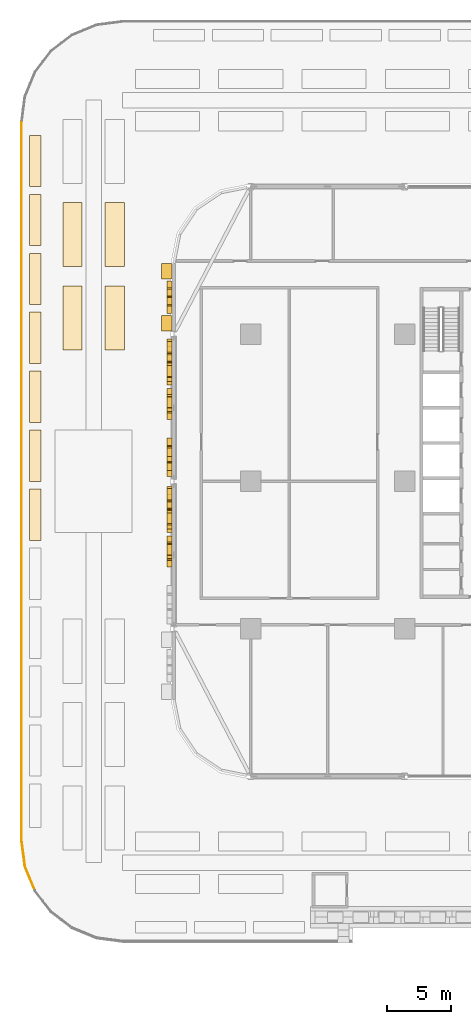
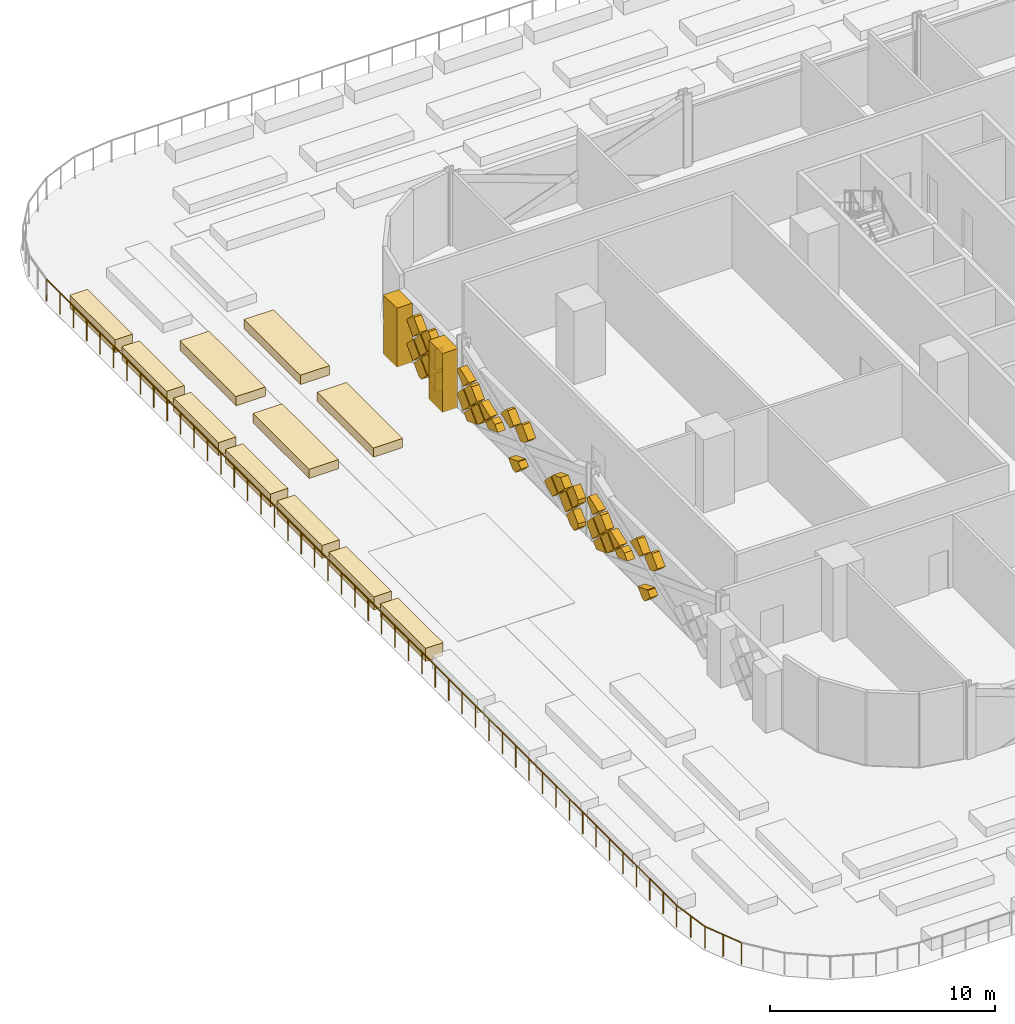
# One storey, part 30 of 39: 46 coverings, 1 railing.
"""IFC4 building model written with IfcOpenShell, lengths in metres."""

from ifc_helpers import new_model, si_unit, direction, frame, origin, origin_2d, place, context, subcontext, project, spatial, polyline, rectangle, circle, outline, extrude, material, layer, layer_set, type_object, element, save


model = new_model("IFC4")

# Units and contexts
model_context = context("Model", 3, precision=1e-05, world=origin(), true_north=direction((0.0, 1.0)))
body_context = subcontext(model_context, "Body", "Model", "MODEL_VIEW")
ifc_project = project(units=[si_unit("LENGTHUNIT", "METRE"), si_unit("AREAUNIT", "SQUARE_METRE"), si_unit("VOLUMEUNIT", "CUBIC_METRE"), si_unit("PLANEANGLEUNIT", "RADIAN"), si_unit("MASSUNIT", "GRAM", prefix="KILO")], contexts=[model_context])

# Site, building, storey
site_placement = place(None, origin())
site = spatial("IfcSite", under=ifc_project, at=site_placement, CompositionType="ELEMENT")
building_placement = place(site_placement, origin())
building = spatial("IfcBuilding", under=site, at=building_placement, Name="Mahtab Terrace Research Tower", CompositionType="ELEMENT")
storey_placement = place(building_placement, frame((0.0, 0.0, 7.199951171875)))
storey = spatial("IfcBuildingStorey", under=building, at=storey_placement, Name="L01", CompositionType="ELEMENT", Elevation=7.199951171875)

# Coverings
ifc_material_1 = material(Name="Bronze anodised aluminium", Category="aluminium")
ifc_layer_1 = layer(ifc_material_1, 0.39990234375)
ifc_layer_set_1 = layer_set([ifc_layer_1], Name="Mashrabiya relief panel 400")
covering_type_1 = type_object("IfcCoveringType", Name="Mashrabiya relief panel 400", PredefinedType="CLADDING", material=ifc_layer_set_1)
covering_1_placement = place(storey_placement, frame((-48.14990234375, 15.050048828125, 1.830078125), z_axis=(1.0, 0.0, 0.0), x_axis=(0.0, -0.707106781187, -0.707106781187)))
element("IfcCovering", 1, at=covering_1_placement, inside=storey, type_object=covering_type_1, Name="Mashrabiya lattice cell L01 W14.1", PredefinedType="CLADDING", context=body_context, shape_type="SweptSolid", body=[
    extrude(outline(polyline([(0.0, 0.0), (0.8203543516109556, 0.0), (0.820181718119455, 0.820181718119455), (0.0001726334915006511, 0.820181718119455), (0.0, 0.0)])), origin(), (0.0, 0.0, -1.0), 0.39990234375),
])
covering_2_placement = place(storey_placement, frame((-48.14990234375, 14.469970703125, 2.550048828125), z_axis=(1.0, 0.0, 0.0), x_axis=(0.0, 0.707106781187, -0.707106781187)))
element("IfcCovering", 2, at=covering_2_placement, inside=storey, type_object=covering_type_1, Name="Mashrabiya lattice cell L01 W14.2", PredefinedType="CLADDING", context=body_context, shape_type="SweptSolid", body=[
    extrude(outline(polyline([(0.0, 0.0), (0.8203543516109556, 0.0), (0.820181718119455, 0.820181718119455), (0.087697813682316, 0.8203543516109556), (0.0, 0.7326565379286396), (0.0, 0.0)])), origin(), (0.0, 0.0, -1.0), 0.39990234375),
])
covering_3_placement = place(storey_placement, frame((-48.14990234375, 14.97998046875, 0.60009765625), z_axis=(1.0, 0.0, 0.0), x_axis=(0.0, -0.707255598772, 0.706957932274)))
element("IfcCovering", 3, at=covering_3_placement, inside=storey, type_object=covering_type_1, Name="Mashrabiya lattice cell L01 W14.3", PredefinedType="CLADDING", context=body_context, shape_type="SweptSolid", body=[
    extrude(outline(polyline([(0.0, 0.0), (0.8201817362875763, 0.0), (0.8203543334390104, 0.8200090664636573), (0.162793415215238, 0.8203201046986629), (0.0001384410835714167, 0.6577335880476914), (0.0, 0.0)])), origin(), (0.0, 0.0, -1.0), 0.39990234375),
])
covering_4_placement = place(storey_placement, frame((-48.14990234375, 14.39990234375, 2.47998046875), z_axis=(1.0, 0.0, 0.0), x_axis=(0.0, -0.707106781187, -0.707106781187)))
element("IfcCovering", 4, at=covering_4_placement, inside=storey, type_object=covering_type_1, Name="Mashrabiya lattice cell L01 W14.4", PredefinedType="CLADDING", context=body_context, shape_type="SweptSolid", body=[
    extrude(outline(polyline([(0.0, 0.0), (0.8200090846279543, 0.0), (0.820181718119455, 0.820181718119455), (-0.0001726334915006511, 0.820181718119455), (0.0, 0.0)])), origin(), (0.0, 0.0, -1.0), 0.39990234375),
])
covering_5_placement = place(storey_placement, frame((-48.14990234375, 13.75, 1.830078125), z_axis=(1.0, 0.0, 0.0), x_axis=(0.0, -0.707106781187, -0.707106781187)))
element("IfcCovering", 5, at=covering_5_placement, inside=storey, type_object=covering_type_1, Name="Mashrabiya lattice cell L01 W14.5", PredefinedType="CLADDING", context=body_context, shape_type="SweptSolid", body=[
    extrude(outline(polyline([(0.0, 0.0), (0.8203543516109556, 0.0), (0.820181718119455, 0.820181718119455), (0.0, 0.8203543516109556), (0.0, 0.0)])), origin(), (0.0, 0.0, -1.0), 0.39990234375),
])
covering_6_placement = place(storey_placement, frame((-48.14990234375, 13.169921875, 2.550048828125), z_axis=(1.0, 0.0, 0.0), x_axis=(0.0, 0.707106781187, -0.707106781187)))
element("IfcCovering", 6, at=covering_6_placement, inside=storey, type_object=covering_type_1, Name="Mashrabiya lattice cell L01 W14.6", PredefinedType="CLADDING", context=body_context, shape_type="SweptSolid", body=[
    extrude(outline(polyline([(0.0, 0.0), (0.8203543516109556, 0.0), (0.8203543516109556, 0.8203543516109556), (0.087697813682316, 0.8203543516109556), (0.0, 0.7326565379286396), (0.0, 0.0)])), origin(), (0.0, 0.0, -1.0), 0.39990234375),
])
covering_7_placement = place(storey_placement, frame((-48.14990234375, 13.679931640625, 0.60009765625), z_axis=(1.0, 0.0, 0.0), x_axis=(0.0, -0.707106781187, 0.707106781187)))
element("IfcCovering", 7, at=covering_7_placement, inside=storey, type_object=covering_type_1, Name="Mashrabiya lattice cell L01 W14.7", PredefinedType="CLADDING", context=body_context, shape_type="SweptSolid", body=[
    extrude(outline(polyline([(0.0, 0.0), (0.8200090846279543, 0.0), (0.820181718119455, 0.02261498738658152), (0.0925315514443334, 0.7502651540617031), (-0.0001726334915005956, 0.657560969125869), (0.0, 0.0)])), origin(), (0.0, 0.0, -1.0), 0.39990234375),
])
covering_8_placement = place(storey_placement, frame((-48.14990234375, 13.10009765625, 1.320068359375), z_axis=(1.0, 0.0, 0.0), x_axis=(0.0, 0.706957932274, 0.707255598772)))
element("IfcCovering", 8, at=covering_8_placement, inside=storey, type_object=covering_type_1, Name="Mashrabiya lattice cell L01 W14.8", PredefinedType="CLADDING", context=body_context, shape_type="SweptSolid", body=[
    extrude(outline(polyline([(0.0, 0.0), (0.8201817362875763, 0.0), (0.8203543334390104, 0.8200090664636573), (0.7977393828896235, 0.8201864599990892), (-0.00016787343992121818, 0.022615023221871693), (0.0, 0.0)])), origin(), (0.0, 0.0, -1.0), 0.39990234375),
])
covering_9_placement = place(storey_placement, frame((-48.14990234375, 10.60107421875, 1.830078125), z_axis=(1.0, 0.0, 0.0), x_axis=(0.0, -0.707106781187, -0.707106781187)))
element("IfcCovering", 9, at=covering_9_placement, inside=storey, type_object=covering_type_1, Name="Mashrabiya lattice cell L01 W15.1", PredefinedType="CLADDING", context=body_context, shape_type="SweptSolid", body=[
    extrude(outline(polyline([(0.0, 0.0), (0.8203543516109556, 0.0), (0.820181718119455, 0.820181718119455), (0.0920136509698315, 0.820181718119455), (0.0001726334915005956, 0.728340700641124), (0.0, 0.0)])), origin(), (0.0, 0.0, -1.0), 0.39990234375),
])
covering_10_placement = place(storey_placement, frame((-48.14990234375, 10.60107421875, 1.969970703125), z_axis=(1.0, 0.0, 0.0), x_axis=(0.0, 0.706939160764, 0.707274361884)))
element("IfcCovering", 10, at=covering_10_placement, inside=storey, type_object=covering_type_1, Name="Mashrabiya lattice cell L01 W15.2", PredefinedType="CLADDING", context=body_context, shape_type="SweptSolid", body=[
    extrude(outline(polyline([(0.0, 0.0), (0.728340721100177, 5.551115123125783e-17), (0.8202035044307674, 0.09181924646645268), (0.820436819467716, 0.3478346662523084), (0.00017095584433024502, 0.721262707229366), (0.0, 0.0)])), origin(), (0.0, 0.0, -1.0), 0.39990234375),
])
covering_11_placement = place(storey_placement, frame((-48.14990234375, 10.531005859375, 0.60009765625), z_axis=(1.0, 0.0, 0.0), x_axis=(0.0, -0.707255598772, 0.706957932274)))
element("IfcCovering", 11, at=covering_11_placement, inside=storey, type_object=covering_type_1, Name="Mashrabiya lattice cell L01 W15.3", PredefinedType="CLADDING", context=body_context, shape_type="SweptSolid", body=[
    extrude(outline(polyline([(0.0, 0.0), (0.8201817362875763, 0.0), (0.8203430692038642, 0.7664926852839239), (8.277396020356376e-05, 0.3932590849272024), (0.0, 0.0)])), origin(), (0.0, 0.0, -1.0), 0.39990234375),
])
covering_12_placement = place(storey_placement, frame((-48.14990234375, 9.37109375, 1.900146484375), z_axis=(1.0, 0.0, 0.0), x_axis=(0.0, 0.706957932274, -0.707255598772)))
element("IfcCovering", 12, at=covering_12_placement, inside=storey, type_object=covering_type_1, Name="Mashrabiya lattice cell L01 W15.4", PredefinedType="CLADDING", context=body_context, shape_type="SweptSolid", body=[
    extrude(outline(polyline([(0.0, 0.0), (0.8201817362875763, 0.0), (0.8200090664636573, 0.8203543334390104), (0.0535163811797334, 0.8201930005227225), (-0.00014788850659724906, 0.7026182948435968), (0.0, 0.0)])), origin(), (0.0, 0.0, -1.0), 0.39990234375),
])
covering_13_placement = place(storey_placement, frame((-48.14990234375, 9.881103515625, 1.25), z_axis=(1.0, 0.0, 0.0), x_axis=(0.0, -0.707106781187, 0.707106781187)))
element("IfcCovering", 13, at=covering_13_placement, inside=storey, type_object=covering_type_1, Name="Mashrabiya lattice cell L01 W15.5", PredefinedType="CLADDING", context=body_context, shape_type="SweptSolid", body=[
    extrude(outline(polyline([(0.0, 0.0), (0.8203543516109556, 0.0), (0.8203543516109556, 0.8203543516109556), (0.0001726334915005956, 0.8118953105274251), (0.0, 0.0)])), origin(), (0.0, 0.0, -1.0), 0.39990234375),
])
covering_14_placement = place(storey_placement, frame((-48.14990234375, 8.65087890625, 1.320068359375), z_axis=(1.0, 0.0, 0.0), x_axis=(0.0, 0.707106781187, 0.707106781187)))
element("IfcCovering", 14, at=covering_14_placement, inside=storey, type_object=covering_type_1, Name="Mashrabiya lattice cell L01 W15.6", PredefinedType="CLADDING", context=body_context, shape_type="SweptSolid", body=[
    extrude(outline(polyline([(0.0, 0.0), (0.8203543516109556, 0.0), (0.8203543516109555, 0.2658555769109578), (0.0, 0.6390891855353025), (0.0, 0.0)])), origin(), (0.0, 0.0, -1.0), 0.39990234375),
])
covering_15_placement = place(storey_placement, frame((-48.14990234375, 8.5810546875, 1.25), z_axis=(1.0, 0.0, 0.0), x_axis=(0.0, -0.707106781187, 0.707106781187)))
element("IfcCovering", 15, at=covering_15_placement, inside=storey, type_object=covering_type_1, Name="Mashrabiya lattice cell L01 W15.7", PredefinedType="CLADDING", context=body_context, shape_type="SweptSolid", body=[
    extrude(outline(polyline([(0.0, 0.0), (0.6846644272914667, 0.0), (0.8203543516109556, 0.2969296053810698), (0.820181718119455, 0.684491793799966), (0.0, 0.3110855516841208), (0.0, 0.0)])), origin(), (0.0, 0.0, -1.0), 0.39990234375),
])
covering_16_placement = place(storey_placement, frame((-48.14990234375, 6.12109375, 2.550048828125), z_axis=(1.0, 0.0, 0.0), x_axis=(0.0, 0.707106781187, -0.707106781187)))
element("IfcCovering", 16, at=covering_16_placement, inside=storey, type_object=covering_type_1, Name="Mashrabiya lattice cell L01 W15.8", PredefinedType="CLADDING", context=body_context, shape_type="SweptSolid", body=[
    extrude(outline(polyline([(0.0, 0.0), (0.4170825154655027, 0.0), (0.7904887575813481, 0.820181718119455), (0.08752518019081534, 0.820181718119455), (-0.0001726334915005956, 0.732483904437139), (0.0, 0.0)])), origin(), (0.0, 0.0, -1.0), 0.39990234375),
])
covering_17_placement = place(storey_placement, frame((-48.14990234375, 6.577880859375, 0.547119140625), z_axis=(1.0, 0.0, 0.0), x_axis=(0.0, -0.936567319368, 0.350487740572)))
element("IfcCovering", 17, at=covering_17_placement, inside=storey, type_object=covering_type_1, Name="Mashrabiya lattice cell L01 W15.9", PredefinedType="CLADDING", context=body_context, shape_type="SweptSolid", body=[
    extrude(outline(polyline([(0.0, 0.0), (0.8839523248935043, 0.0), (0.9121147458943312, 0.024354935260809507), (1.0552861488575462, 0.3383487078732928), (0.4566924259117723, 0.6109272229142655), (0.24130023478749, 0.5303218880464642), (0.0, 0.0)])), origin(), (0.0, 0.0, -1.0), 0.39990234375),
])
covering_18_placement = place(storey_placement, frame((-48.14990234375, 5.98095703125, 2.550048828125), z_axis=(1.0, 0.0, 0.0), x_axis=(0.0, -0.707106781187, 0.707106781187)))
element("IfcCovering", 18, at=covering_18_placement, inside=storey, type_object=covering_type_1, Name="Mashrabiya lattice cell L01 W15.10", PredefinedType="CLADDING", context=body_context, shape_type="SweptSolid", body=[
    extrude(outline(polyline([(0.0, 0.0), (0.7326565379286396, 0.0), (0.820181718119455, 0.08752518019081534), (0.820181718119455, 0.820181718119455), (0.3761683779798553, 0.8201817181194551), (0.0, 0.6491019280423386), (0.0, 0.0)])), origin(), (0.0, 0.0, -1.0), 0.39990234375),
])
covering_19_placement = place(storey_placement, frame((-48.14990234375, 3.381103515625, 1.25), z_axis=(1.0, 0.0, 0.0), x_axis=(0.0, -0.707106781187, 0.707106781187)))
element("IfcCovering", 19, at=covering_19_placement, inside=storey, type_object=covering_type_1, Name="Mashrabiya lattice cell L01 W15.11", PredefinedType="CLADDING", context=body_context, shape_type="SweptSolid", body=[
    extrude(outline(polyline([(0.0, 0.0), (0.8203543516109556, 0.0), (0.8203543516109556, 0.8203543516109556), (0.2404784536603664, 0.8201817181194551), (0.0, 0.29278640158505487), (0.0, 0.0)])), origin(), (0.0, 0.0, -1.0), 0.39990234375),
])
covering_20_placement = place(storey_placement, frame((-48.14990234375, 1.571044921875, 1.900146484375), z_axis=(1.0, 0.0, 0.0), x_axis=(0.0, 0.706957932274, -0.707255598772)))
element("IfcCovering", 20, at=covering_20_placement, inside=storey, type_object=covering_type_1, Name="Mashrabiya lattice cell L01 W15.12", PredefinedType="CLADDING", context=body_context, shape_type="SweptSolid", body=[
    extrude(outline(polyline([(0.0, 0.0), (0.8201817362875763, 0.0), (0.8200090664636573, 0.8203543334390104), (0.6263142932905577, 0.8203135641750295), (-0.00011249700649262895, 0.534473277846628), (0.0, 0.0)])), origin(), (0.0, 0.0, -1.0), 0.39990234375),
])
covering_21_placement = place(storey_placement, frame((-48.14990234375, 1.5009765625, 1.830078125), z_axis=(1.0, 0.0, 0.0), x_axis=(0.0, -0.707106781187, -0.707106781187)))
element("IfcCovering", 21, at=covering_21_placement, inside=storey, type_object=covering_type_1, Name="Mashrabiya lattice cell L01 W15.13", PredefinedType="CLADDING", context=body_context, shape_type="SweptSolid", body=[
    extrude(outline(polyline([(0.0, 0.0), (0.8203543516109556, 0.0), (0.820181718119455, 0.820181718119455), (0.0, 0.8203543516109556), (0.0, 0.0)])), origin(), (0.0, 0.0, -1.0), 0.39990234375),
])
covering_22_placement = place(storey_placement, frame((-48.14990234375, 1.430908203125, 0.60009765625), z_axis=(1.0, 0.0, 0.0), x_axis=(0.0, -0.707106781187, 0.707106781187)))
element("IfcCovering", 22, at=covering_22_placement, inside=storey, type_object=covering_type_1, Name="Mashrabiya lattice cell L01 W15.14", PredefinedType="CLADDING", context=body_context, shape_type="SweptSolid", body=[
    extrude(outline(polyline([(0.0, 0.0), (0.8200090846279543, 0.0), (0.8201817181194551, 0.660323104989879), (0.660323104989879, 0.8201817181194551), (0.16244811550208527, 0.820181718119455), (0.0, 0.4709441648136967), (0.0, 0.0)])), origin(), (0.0, 0.0, -1.0), 0.39990234375),
])
covering_23_placement = place(storey_placement, frame((-48.14990234375, 0.85107421875, 1.320068359375), z_axis=(1.0, 0.0, 0.0), x_axis=(0.0, 0.706957932274, 0.707255598772)))
element("IfcCovering", 23, at=covering_23_placement, inside=storey, type_object=covering_type_1, Name="Mashrabiya lattice cell L01 W15.15", PredefinedType="CLADDING", context=body_context, shape_type="SweptSolid", body=[
    extrude(outline(polyline([(0.0, 0.0), (0.8201817362875763, 0.0), (0.8203543334390104, 0.8200090664636573), (0.15985860958849407, 0.8201480889271073), (0.00013902246344993374, 0.6604957238505165), (0.0, 0.0)])), origin(), (0.0, 0.0, -1.0), 0.39990234375),
])
covering_24_placement = place(storey_placement, frame((-48.14990234375, -0.89892578125, 1.830078125), z_axis=(1.0, 0.0, 0.0), x_axis=(0.0, -0.707106781187, -0.707106781187)))
element("IfcCovering", 24, at=covering_24_placement, inside=storey, type_object=covering_type_1, Name="Mashrabiya lattice cell L01 W16.1", PredefinedType="CLADDING", context=body_context, shape_type="SweptSolid", body=[
    extrude(outline(polyline([(0.0, 0.0), (0.8203543516109556, 0.0), (0.820181718119455, 0.820181718119455), (0.0920136509698315, 0.820181718119455), (0.0001726334915005956, 0.728340700641124), (0.0, 0.0)])), origin(), (0.0, 0.0, -1.0), 0.39990234375),
])
covering_25_placement = place(storey_placement, frame((-48.14990234375, -0.89892578125, 1.969970703125), z_axis=(1.0, 0.0, 0.0), x_axis=(0.0, 0.706939160764, 0.707274361884)))
element("IfcCovering", 25, at=covering_25_placement, inside=storey, type_object=covering_type_1, Name="Mashrabiya lattice cell L01 W16.2", PredefinedType="CLADDING", context=body_context, shape_type="SweptSolid", body=[
    extrude(outline(polyline([(0.0, 0.0), (0.728340721100177, 5.551115123125783e-17), (0.8202035044307674, 0.09181924646645268), (0.820436819467716, 0.3478346662523084), (0.00017095584433024502, 0.721262707229366), (0.0, 0.0)])), origin(), (0.0, 0.0, -1.0), 0.39990234375),
])
covering_26_placement = place(storey_placement, frame((-48.14990234375, -0.968994140625, 0.60009765625), z_axis=(1.0, 0.0, 0.0), x_axis=(0.0, -0.707255598772, 0.706957932274)))
element("IfcCovering", 26, at=covering_26_placement, inside=storey, type_object=covering_type_1, Name="Mashrabiya lattice cell L01 W16.3", PredefinedType="CLADDING", context=body_context, shape_type="SweptSolid", body=[
    extrude(outline(polyline([(0.0, 0.0), (0.8201817362875763, 0.0), (0.8203430692038642, 0.7664926852839239), (8.277396020356376e-05, 0.3932590849272024), (0.0, 0.0)])), origin(), (0.0, 0.0, -1.0), 0.39990234375),
])
covering_27_placement = place(storey_placement, frame((-48.14990234375, -2.12890625, 1.900146484375), z_axis=(1.0, 0.0, 0.0), x_axis=(0.0, 0.706957932274, -0.707255598772)))
element("IfcCovering", 27, at=covering_27_placement, inside=storey, type_object=covering_type_1, Name="Mashrabiya lattice cell L01 W16.4", PredefinedType="CLADDING", context=body_context, shape_type="SweptSolid", body=[
    extrude(outline(polyline([(0.0, 0.0), (0.8201817362875763, 0.0), (0.8200090664636573, 0.8203543334390104), (0.0535163811797334, 0.8201930005227225), (-0.00014788850659724906, 0.7026182948435968), (0.0, 0.0)])), origin(), (0.0, 0.0, -1.0), 0.39990234375),
])
covering_28_placement = place(storey_placement, frame((-48.14990234375, -1.618896484375, 1.25), z_axis=(1.0, 0.0, 0.0), x_axis=(0.0, -0.707106781187, 0.707106781187)))
element("IfcCovering", 28, at=covering_28_placement, inside=storey, type_object=covering_type_1, Name="Mashrabiya lattice cell L01 W16.5", PredefinedType="CLADDING", context=body_context, shape_type="SweptSolid", body=[
    extrude(outline(polyline([(0.0, 0.0), (0.8203543516109556, 0.0), (0.8203543516109556, 0.8203543516109556), (0.0001726334915005956, 0.8118953105274251), (0.0, 0.0)])), origin(), (0.0, 0.0, -1.0), 0.39990234375),
])
covering_29_placement = place(storey_placement, frame((-48.14990234375, -2.84912109375, 1.320068359375), z_axis=(1.0, 0.0, 0.0), x_axis=(0.0, 0.707106781187, 0.707106781187)))
element("IfcCovering", 29, at=covering_29_placement, inside=storey, type_object=covering_type_1, Name="Mashrabiya lattice cell L01 W16.6", PredefinedType="CLADDING", context=body_context, shape_type="SweptSolid", body=[
    extrude(outline(polyline([(0.0, 0.0), (0.8203543516109556, 0.0), (0.8203543516109555, 0.2658555769109578), (0.0, 0.6390891855353025), (0.0, 0.0)])), origin(), (0.0, 0.0, -1.0), 0.39990234375),
])
covering_30_placement = place(storey_placement, frame((-48.14990234375, -2.9189453125, 1.25), z_axis=(1.0, 0.0, 0.0), x_axis=(0.0, -0.707106781187, 0.707106781187)))
element("IfcCovering", 30, at=covering_30_placement, inside=storey, type_object=covering_type_1, Name="Mashrabiya lattice cell L01 W16.7", PredefinedType="CLADDING", context=body_context, shape_type="SweptSolid", body=[
    extrude(outline(polyline([(0.0, 0.0), (0.6846644272914667, 0.0), (0.8203543516109556, 0.2969296053810698), (0.820181718119455, 0.684491793799966), (0.0, 0.3110855516841208), (0.0, 0.0)])), origin(), (0.0, 0.0, -1.0), 0.39990234375),
])
covering_31_placement = place(storey_placement, frame((-48.14990234375, -5.37890625, 2.550048828125), z_axis=(1.0, 0.0, 0.0), x_axis=(0.0, 0.707106781187, -0.707106781187)))
element("IfcCovering", 31, at=covering_31_placement, inside=storey, type_object=covering_type_1, Name="Mashrabiya lattice cell L01 W16.8", PredefinedType="CLADDING", context=body_context, shape_type="SweptSolid", body=[
    extrude(outline(polyline([(0.0, 0.0), (0.4170825154655027, 0.0), (0.7904887575813481, 0.820181718119455), (0.08752518019081534, 0.820181718119455), (-0.0001726334915005956, 0.732483904437139), (0.0, 0.0)])), origin(), (0.0, 0.0, -1.0), 0.39990234375),
])
covering_32_placement = place(storey_placement, frame((-48.14990234375, -4.922119140625, 0.547119140625), z_axis=(1.0, 0.0, 0.0), x_axis=(0.0, -0.936567319368, 0.350487740572)))
element("IfcCovering", 32, at=covering_32_placement, inside=storey, type_object=covering_type_1, Name="Mashrabiya lattice cell L01 W16.9", PredefinedType="CLADDING", context=body_context, shape_type="SweptSolid", body=[
    extrude(outline(polyline([(0.0, 0.0), (0.8839523248935043, 0.0), (0.9121147458943312, 0.024354935260809507), (1.0552861488575462, 0.3383487078732928), (0.4566924259117723, 0.6109272229142655), (0.24130023478749, 0.5303218880464642), (0.0, 0.0)])), origin(), (0.0, 0.0, -1.0), 0.39990234375),
])
covering_33_placement = place(storey_placement, frame((-48.14990234375, -5.51904296875, 2.550048828125), z_axis=(1.0, 0.0, 0.0), x_axis=(0.0, -0.707106781187, 0.707106781187)))
element("IfcCovering", 33, at=covering_33_placement, inside=storey, type_object=covering_type_1, Name="Mashrabiya lattice cell L01 W16.10", PredefinedType="CLADDING", context=body_context, shape_type="SweptSolid", body=[
    extrude(outline(polyline([(0.0, 0.0), (0.7326565379286396, 0.0), (0.820181718119455, 0.08752518019081534), (0.820181718119455, 0.820181718119455), (0.3761683779798553, 0.8201817181194551), (0.0, 0.6491019280423386), (0.0, 0.0)])), origin(), (0.0, 0.0, -1.0), 0.39990234375),
])
ifc_material_2 = material(Name="Glazed ceramic tile cladding", Category="masonry")
ifc_layer_2 = layer(ifc_material_2, 0.800048828125)
ifc_layer_set_2 = layer_set([ifc_layer_2], Name="Pishtaq frame pier 800")
covering_type_2 = type_object("IfcCoveringType", Name="Pishtaq frame pier 800", PredefinedType="CLADDING", material=ifc_layer_set_2)
for number, where, z_axis, x_axis, name in (
    (34, (-48.550048828125, 16.39990234375, 0.00048828125), (0.0, 0.0, 1.0), (0.0, -1.0, 0.0), "Pishtaq frame pier 14a"),
    (35, (-48.550048828125, 12.34912109375, 0.00048828125), (0.0, 0.0, 1.0), (0.0, -1.0, 0.0), "Pishtaq frame pier 14b"),
):
    element("IfcCovering", number, at=place(storey_placement, frame(where, z_axis=z_axis, x_axis=x_axis)), inside=storey, type_object=covering_type_2, Name=name, PredefinedType="CLADDING", context=body_context, shape_type="SweptSolid", body=[
        extrude(rectangle(XDim=1.199951171875, YDim=0.800048828125, at=origin_2d()), origin(), (0.0, 0.0, 1.0), 3.202880859375),
    ])
ifc_material_3 = material(Name="Planting soil and shrubs")
ifc_layer_3 = layer(ifc_material_3, 0.1201171875)
ifc_layer_set_3 = layer_set([ifc_layer_3], Name="Planter")
covering_type_3 = type_object("IfcCoveringType", Name="Planter", PredefinedType="USERDEFINED", material=ifc_layer_set_3)
for number, where, z_axis, x_axis, name in (
    (36, (-58.800048828125, 25.0, 0.0302734375), (0.0, 0.0, 1.0), (0.0, -1.0, 0.0), "PLANTER garden hedge"),
    (37, (-58.800048828125, 20.39990234375, 0.0302734375), (0.0, 0.0, 1.0), (0.0, -1.0, 0.0), "PLANTER garden hedge"),
    (38, (-58.800048828125, 15.800048828125, 0.0302734375), (0.0, 0.0, 1.0), (0.0, -1.0, 0.0), "PLANTER garden hedge"),
    (39, (-58.800048828125, 11.199951171875, 0.0302734375), (0.0, 0.0, 1.0), (0.0, -1.0, 0.0), "PLANTER garden hedge"),
    (40, (-58.800048828125, 6.60009765625, 0.0302734375), (0.0, 0.0, 1.0), (0.0, -1.0, 0.0), "PLANTER garden hedge"),
    (41, (-58.800048828125, 2.0, 0.0302734375), (0.0, 0.0, 1.0), (0.0, -1.0, 0.0), "PLANTER garden hedge"),
    (42, (-58.800048828125, -2.60009765625, 0.0302734375), (0.0, 0.0, 1.0), (0.0, -1.0, 0.0), "PLANTER garden hedge"),
):
    element("IfcCovering", number, at=place(storey_placement, frame(where, z_axis=z_axis, x_axis=x_axis)), inside=storey, type_object=covering_type_3, Name=name, ObjectType="PLANTER", PredefinedType="USERDEFINED", context=body_context, shape_type="SweptSolid", body=[
        extrude(rectangle(XDim=4.0, YDim=0.89990234375, at=origin_2d()), origin(), (0.0, 0.0, 1.0), 0.699951171875),
    ])
for number, where, z_axis, x_axis, name in (
    (43, (-55.89990234375, 12.75, 0.030029296875), (0.0, 0.0, 1.0), (1.0, 0.0, 0.0), "PLANTER garden bed"),
    (44, (-52.60009765625, 12.75, 0.030029296875), (0.0, 0.0, 1.0), (1.0, 0.0, 0.0), "PLANTER garden bed"),
    (45, (-55.89990234375, 19.25, 0.030029296875), (0.0, 0.0, 1.0), (1.0, 0.0, 0.0), "PLANTER garden bed"),
    (46, (-52.60009765625, 19.25, 0.030029296875), (0.0, 0.0, 1.0), (1.0, 0.0, 0.0), "PLANTER garden bed"),
):
    element("IfcCovering", number, at=place(storey_placement, frame(where, z_axis=z_axis, x_axis=x_axis)), inside=storey, type_object=covering_type_3, Name=name, ObjectType="PLANTER", PredefinedType="USERDEFINED", context=body_context, shape_type="SweptSolid", body=[
        extrude(rectangle(XDim=1.5, YDim=5.0, at=origin_2d()), origin(), (0.0, 0.0, 1.0), 0.5),
    ])

# Railing
ifc_material_4 = material(Name="Black anodised aluminium", Category="aluminium")
railing_type = type_object("IfcRailingType", Name="Terrace guard 1200", PredefinedType="GUARDRAIL", material=ifc_material_4)
railing_placement = place(storey_placement, frame((-58.822998046875, -31.93896484375, 0.030029296875)))
element("IfcRailing", 47, at=railing_placement, inside=storey, type_object=railing_type, Name="Garden deck guard 4", PredefinedType="GUARDRAIL", context=body_context, shape_type="SweptSolid", body=[
    extrude(circle(Radius=0.030029296875, at=origin_2d()), frame((0.0, 0.0, 1.169921875), z_axis=(-0.382911202926, 0.923785153958, 0.0), x_axis=(-0.923785153958, -0.382911202926, 0.0)), (0.0, 0.0, 1.0), 2.0556640625),
    extrude(circle(Radius=0.030029296875, at=origin_2d()), frame((-0.787109375, 1.89892578125, 1.169921875), z_axis=(-0.130592082946, 0.991436184468, 0.0), x_axis=(-0.991436184468, -0.130592082946, 0.0)), (0.0, 0.0, 1.0), 2.065673828125),
    extrude(circle(Radius=0.030029296875, at=origin_2d()), frame((-1.056884765625, 3.947021484375, 1.169921875), z_axis=(0.0, 1.0, 0.0), x_axis=(-1.0, 0.0, 0.0)), (0.0, 0.0, 1.0), 55.98388671875),
    extrude(circle(Radius=0.02490234375, at=origin_2d()), origin(), (0.0, 0.0, 1.0), 1.139892578125),
    extrude(circle(Radius=0.02490234375, at=origin_2d()), frame((-0.3935546875, 0.949462890625, 0.0)), (0.0, 0.0, 1.0), 1.139892578125),
    extrude(circle(Radius=0.02490234375, at=origin_2d()), frame((-0.787109375, 1.89892578125, 0.0)), (0.0, 0.0, 1.0), 1.139892578125),
    extrude(circle(Radius=0.02490234375, at=origin_2d()), frame((-0.921875, 2.9228515625, 0.0)), (0.0, 0.0, 1.0), 1.139892578125),
    extrude(circle(Radius=0.02490234375, at=origin_2d()), frame((-1.056884765625, 3.947021484375, 0.0)), (0.0, 0.0, 1.0), 1.139892578125),
    extrude(circle(Radius=0.02490234375, at=origin_2d()), frame((-1.056884765625, 5.13818359375, 0.0)), (0.0, 0.0, 1.0), 1.139892578125),
    extrude(circle(Radius=0.02490234375, at=origin_2d()), frame((-1.056884765625, 6.329345703125, 0.0)), (0.0, 0.0, 1.0), 1.139892578125),
    extrude(circle(Radius=0.02490234375, at=origin_2d()), frame((-1.056884765625, 7.5205078125, 0.0)), (0.0, 0.0, 1.0), 1.139892578125),
    extrude(circle(Radius=0.02490234375, at=origin_2d()), frame((-1.056884765625, 8.711669921875, 0.0)), (0.0, 0.0, 1.0), 1.139892578125),
    extrude(circle(Radius=0.02490234375, at=origin_2d()), frame((-1.056884765625, 9.90283203125, 0.0)), (0.0, 0.0, 1.0), 1.139892578125),
    extrude(circle(Radius=0.02490234375, at=origin_2d()), frame((-1.056884765625, 11.093994140625, 0.0)), (0.0, 0.0, 1.0), 1.139892578125),
    extrude(circle(Radius=0.02490234375, at=origin_2d()), frame((-1.056884765625, 12.28515625, 0.0)), (0.0, 0.0, 1.0), 1.139892578125),
    extrude(circle(Radius=0.02490234375, at=origin_2d()), frame((-1.056884765625, 13.47607421875, 0.0)), (0.0, 0.0, 1.0), 1.139892578125),
    extrude(circle(Radius=0.02490234375, at=origin_2d()), frame((-1.056884765625, 14.667236328125, 0.0)), (0.0, 0.0, 1.0), 1.139892578125),
    extrude(circle(Radius=0.02490234375, at=origin_2d()), frame((-1.056884765625, 15.8583984375, 0.0)), (0.0, 0.0, 1.0), 1.139892578125),
    extrude(circle(Radius=0.02490234375, at=origin_2d()), frame((-1.056884765625, 17.049560546875, 0.0)), (0.0, 0.0, 1.0), 1.139892578125),
    extrude(circle(Radius=0.02490234375, at=origin_2d()), frame((-1.056884765625, 18.24072265625, 0.0)), (0.0, 0.0, 1.0), 1.139892578125),
    extrude(circle(Radius=0.02490234375, at=origin_2d()), frame((-1.056884765625, 19.431884765625, 0.0)), (0.0, 0.0, 1.0), 1.139892578125),
    extrude(circle(Radius=0.02490234375, at=origin_2d()), frame((-1.056884765625, 20.623046875, 0.0)), (0.0, 0.0, 1.0), 1.139892578125),
    extrude(circle(Radius=0.02490234375, at=origin_2d()), frame((-1.056884765625, 21.814208984375, 0.0)), (0.0, 0.0, 1.0), 1.139892578125),
    extrude(circle(Radius=0.02490234375, at=origin_2d()), frame((-1.056884765625, 23.00537109375, 0.0)), (0.0, 0.0, 1.0), 1.139892578125),
    extrude(circle(Radius=0.02490234375, at=origin_2d()), frame((-1.056884765625, 24.196533203125, 0.0)), (0.0, 0.0, 1.0), 1.139892578125),
    extrude(circle(Radius=0.02490234375, at=origin_2d()), frame((-1.056884765625, 25.3876953125, 0.0)), (0.0, 0.0, 1.0), 1.139892578125),
    extrude(circle(Radius=0.02490234375, at=origin_2d()), frame((-1.056884765625, 26.578857421875, 0.0)), (0.0, 0.0, 1.0), 1.139892578125),
    extrude(circle(Radius=0.02490234375, at=origin_2d()), frame((-1.056884765625, 27.77001953125, 0.0)), (0.0, 0.0, 1.0), 1.139892578125),
    extrude(circle(Radius=0.02490234375, at=origin_2d()), frame((-1.056884765625, 28.961181640625, 0.0)), (0.0, 0.0, 1.0), 1.139892578125),
    extrude(circle(Radius=0.02490234375, at=origin_2d()), frame((-1.056884765625, 30.15234375, 0.0)), (0.0, 0.0, 1.0), 1.139892578125),
    extrude(circle(Radius=0.02490234375, at=origin_2d()), frame((-1.056884765625, 31.343505859375, 0.0)), (0.0, 0.0, 1.0), 1.139892578125),
    extrude(circle(Radius=0.02490234375, at=origin_2d()), frame((-1.056884765625, 32.534423828125, 0.0)), (0.0, 0.0, 1.0), 1.139892578125),
    extrude(circle(Radius=0.02490234375, at=origin_2d()), frame((-1.056884765625, 33.7255859375, 0.0)), (0.0, 0.0, 1.0), 1.139892578125),
    extrude(circle(Radius=0.02490234375, at=origin_2d()), frame((-1.056884765625, 34.916748046875, 0.0)), (0.0, 0.0, 1.0), 1.139892578125),
    extrude(circle(Radius=0.02490234375, at=origin_2d()), frame((-1.056884765625, 36.10791015625, 0.0)), (0.0, 0.0, 1.0), 1.139892578125),
    extrude(circle(Radius=0.02490234375, at=origin_2d()), frame((-1.056884765625, 37.299072265625, 0.0)), (0.0, 0.0, 1.0), 1.139892578125),
    extrude(circle(Radius=0.02490234375, at=origin_2d()), frame((-1.056884765625, 38.490234375, 0.0)), (0.0, 0.0, 1.0), 1.139892578125),
    extrude(circle(Radius=0.02490234375, at=origin_2d()), frame((-1.056884765625, 39.681396484375, 0.0)), (0.0, 0.0, 1.0), 1.139892578125),
    extrude(circle(Radius=0.02490234375, at=origin_2d()), frame((-1.056884765625, 40.87255859375, 0.0)), (0.0, 0.0, 1.0), 1.139892578125),
    extrude(circle(Radius=0.02490234375, at=origin_2d()), frame((-1.056884765625, 42.063720703125, 0.0)), (0.0, 0.0, 1.0), 1.139892578125),
    extrude(circle(Radius=0.02490234375, at=origin_2d()), frame((-1.056884765625, 43.2548828125, 0.0)), (0.0, 0.0, 1.0), 1.139892578125),
    extrude(circle(Radius=0.02490234375, at=origin_2d()), frame((-1.056884765625, 44.446044921875, 0.0)), (0.0, 0.0, 1.0), 1.139892578125),
    extrude(circle(Radius=0.02490234375, at=origin_2d()), frame((-1.056884765625, 45.63720703125, 0.0)), (0.0, 0.0, 1.0), 1.139892578125),
    extrude(circle(Radius=0.02490234375, at=origin_2d()), frame((-1.056884765625, 46.828369140625, 0.0)), (0.0, 0.0, 1.0), 1.139892578125),
    extrude(circle(Radius=0.02490234375, at=origin_2d()), frame((-1.056884765625, 48.01953125, 0.0)), (0.0, 0.0, 1.0), 1.139892578125),
    extrude(circle(Radius=0.02490234375, at=origin_2d()), frame((-1.056884765625, 49.210693359375, 0.0)), (0.0, 0.0, 1.0), 1.139892578125),
    extrude(circle(Radius=0.02490234375, at=origin_2d()), frame((-1.056884765625, 50.40185546875, 0.0)), (0.0, 0.0, 1.0), 1.139892578125),
    extrude(circle(Radius=0.02490234375, at=origin_2d()), frame((-1.056884765625, 51.5927734375, 0.0)), (0.0, 0.0, 1.0), 1.139892578125),
    extrude(circle(Radius=0.02490234375, at=origin_2d()), frame((-1.056884765625, 52.783935546875, 0.0)), (0.0, 0.0, 1.0), 1.139892578125),
    extrude(circle(Radius=0.02490234375, at=origin_2d()), frame((-1.056884765625, 53.97509765625, 0.0)), (0.0, 0.0, 1.0), 1.139892578125),
    extrude(circle(Radius=0.02490234375, at=origin_2d()), frame((-1.056884765625, 55.166259765625, 0.0)), (0.0, 0.0, 1.0), 1.139892578125),
    extrude(circle(Radius=0.02490234375, at=origin_2d()), frame((-1.056884765625, 56.357421875, 0.0)), (0.0, 0.0, 1.0), 1.139892578125),
    extrude(circle(Radius=0.02490234375, at=origin_2d()), frame((-1.056884765625, 57.548583984375, 0.0)), (0.0, 0.0, 1.0), 1.139892578125),
    extrude(circle(Radius=0.02490234375, at=origin_2d()), frame((-1.056884765625, 58.73974609375, 0.0)), (0.0, 0.0, 1.0), 1.139892578125),
    extrude(circle(Radius=0.02490234375, at=origin_2d()), frame((-1.056884765625, 59.930908203125, 0.0)), (0.0, 0.0, 1.0), 1.139892578125),
])

save(model, "model.ifc")
